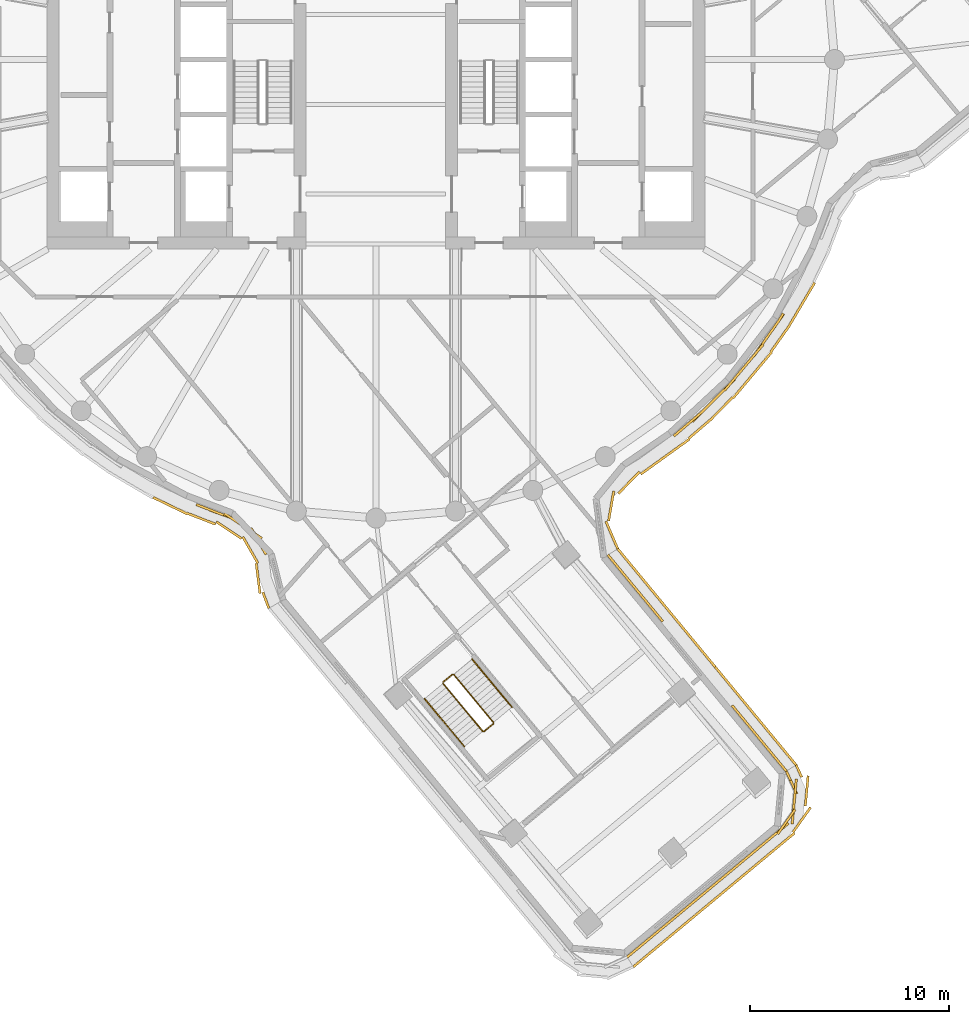
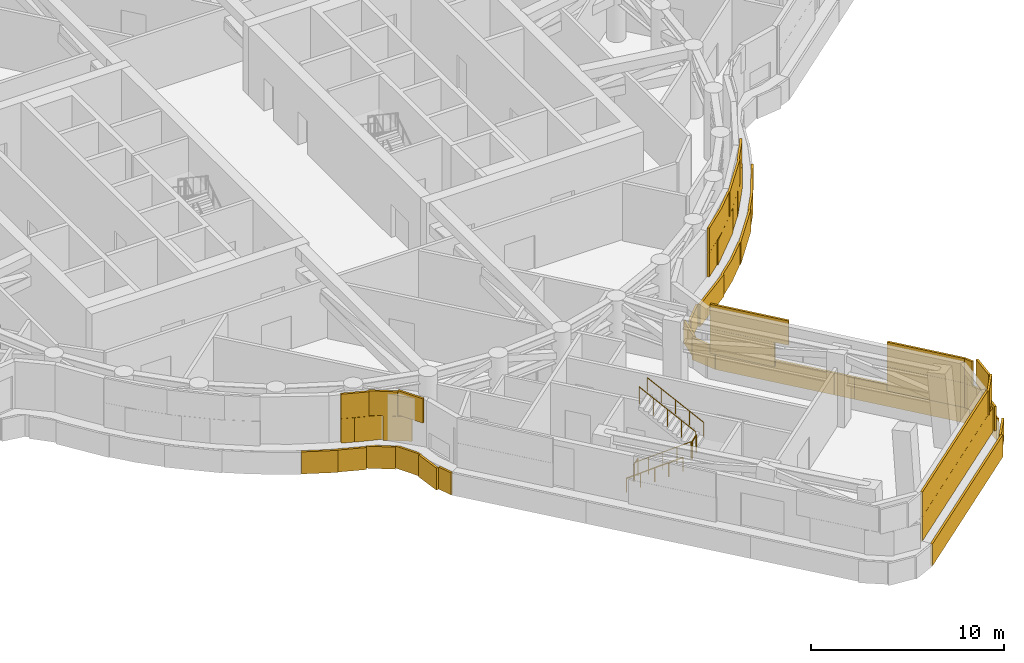
# One storey, part 17 of 22: 6 railings, 5 coverings.
"""IFC4 building model written with IfcOpenShell, lengths in metres."""

import ifcopenshell
import ifcopenshell.guid

model = None  # the IFC model being written
_history = None  # IfcOwnerHistory: only IFC2X3 demands one
_inside = {}  # id of a spatial element -> (the spatial element, [elements in it])
_under = {}  # id of a project, library or spatial element -> (it, [spatial elements below it])
_declared = {}  # id of a project -> (the project, [libraries it declares])
_typed = {}  # id of a type object -> (the type object, [elements of that type])
_made_of = {}  # id of a material, layer set ... -> (it, [elements and type objects made of it])


def new_model(schema):
    """Start an empty IFC model of exactly this schema.

    Asked for "IFC4X3", IfcOpenShell would pick the latest addendum, in which some entities
    have other attributes; the version numbers below select the first issue.
    IFC2X3 requires an IfcOwnerHistory on every rooted entity: one is made here for all.
    """
    global model, _history
    if schema == "IFC4X3":
        model = ifcopenshell.file(schema_version=(4, 3, 0, 0))
    else:
        model = ifcopenshell.file(schema=schema)
    _inside.clear()
    _under.clear()
    _declared.clear()
    _typed.clear()
    _made_of.clear()
    _history = None
    if model.schema == "IFC2X3":
        org = make("IfcOrganization", Name="unknown")
        user = make(
            "IfcPersonAndOrganization",
            ThePerson=make("IfcPerson", FamilyName="unknown"),
            TheOrganization=org,
        )
        app = make(
            "IfcApplication",
            ApplicationDeveloper=org,
            Version="unknown",
            ApplicationFullName="unknown",
            ApplicationIdentifier="unknown",
        )
        _history = make(
            "IfcOwnerHistory",
            OwningUser=user,
            OwningApplication=app,
            ChangeAction="ADDED",
            CreationDate=0,
        )
    return model


def make(cls, **values):
    """One entity of the class cls with the attributes given. An attribute that is None is left unset."""
    return model.create_entity(
        cls, **{name: value for name, value in values.items() if value is not None}
    )


def rooted(cls, **values):
    """An entity with a GlobalId (a new one), such as an element, a storey or a relation."""
    return make(cls, GlobalId=ifcopenshell.guid.new(), OwnerHistory=_history, **values)


def si_unit(unit_type, name, prefix=None):
    """IfcSIUnit, for example si_unit("LENGTHUNIT", "METRE", prefix="MILLI")."""
    return make("IfcSIUnit", UnitType=unit_type, Prefix=prefix, Name=name)


def assignment(units):
    """IfcUnitAssignment: the units of a project."""
    return None if units is None else make("IfcUnitAssignment", Units=units)


def point(xyz):
    """IfcCartesianPoint."""
    return None if xyz is None else make("IfcCartesianPoint", Coordinates=xyz)


def direction(xyz):
    """IfcDirection."""
    return None if xyz is None else make("IfcDirection", DirectionRatios=xyz)


def frame(location, z_axis=None, x_axis=None):
    """IfcAxis2Placement3D, a coordinate frame: its origin and axes. An axis left out is left unset."""
    return make(
        "IfcAxis2Placement3D",
        Location=point(location),
        Axis=direction(z_axis),
        RefDirection=direction(x_axis),
    )


def frame_2d(location, x_axis=None):
    """IfcAxis2Placement2D, a coordinate frame in the plane: its origin and x axis."""
    return make(
        "IfcAxis2Placement2D", Location=point(location), RefDirection=direction(x_axis)
    )


def origin():
    """The frame at (0, 0, 0) with its axes left unset."""
    return frame((0.0, 0.0, 0.0))


def origin_2d():
    """The frame at (0, 0) in the plane with its x axis left unset."""
    return frame_2d((0.0, 0.0))


def place(relative_to, where):
    """IfcLocalPlacement: puts the frame where relative to a parent placement (None: the world)."""
    return make(
        "IfcLocalPlacement", PlacementRelTo=relative_to, RelativePlacement=where
    )


def context(
    kind, dimensions, precision=None, world=None, true_north=None, identifier=None
):
    """IfcGeometricRepresentationContext, for example the 3D "Model" context."""
    return make(
        "IfcGeometricRepresentationContext",
        ContextIdentifier=identifier,
        ContextType=kind,
        CoordinateSpaceDimension=dimensions,
        Precision=precision,
        WorldCoordinateSystem=world,
        TrueNorth=true_north,
    )


def subcontext(parent, identifier, kind, view, scale=None):
    """IfcGeometricRepresentationSubContext, for example "Body" below "Model"."""
    return make(
        "IfcGeometricRepresentationSubContext",
        ContextIdentifier=identifier,
        ContextType=kind,
        ParentContext=parent,
        TargetScale=scale,
        TargetView=view,
    )


def project(units=None, contexts=None):
    """IfcProject with its units and contexts."""
    return rooted(
        "IfcProject",
        Name="project",
        RepresentationContexts=contexts,
        UnitsInContext=assignment(units),
    )


def spatial(cls, under=None, at=None, **own):
    """A site, building, storey or space (cls), placed at a placement, below another one or the project."""
    s = rooted(cls, ObjectPlacement=at, **own)
    if under is not None:
        _under.setdefault(under.id(), (under, []))[1].append(s)
    return s


def profile(cls, at=None, kind="AREA", **sizes):
    """A parametric profile (cls). Its sizes go by their IFC names, for example OverallWidth=200.0."""
    return make(cls, ProfileType=kind, Position=at, **sizes)


def rectangle(**sizes):
    """IfcRectangleProfileDef."""
    return profile("IfcRectangleProfileDef", **sizes)


def circle(**sizes):
    """IfcCircleProfileDef."""
    return profile("IfcCircleProfileDef", **sizes)


def extrude(swept, where, along, depth):
    """IfcExtrudedAreaSolid: the profile swept, set in the frame where, extruded along a direction by depth."""
    return make(
        "IfcExtrudedAreaSolid",
        SweptArea=swept,
        Position=where,
        ExtrudedDirection=direction(along),
        Depth=depth,
    )


def shape(context_of_items, identifier, shape_type, items):
    """IfcShapeRepresentation: the items that make up one representation, for example the "Body"."""
    return make(
        "IfcShapeRepresentation",
        ContextOfItems=context_of_items,
        RepresentationIdentifier=identifier,
        RepresentationType=shape_type,
        Items=items,
    )


def material(Name=None, Category=None):
    """IfcMaterial."""
    return make("IfcMaterial", Name=Name, Category=Category)


def layer(
    of_material, thickness, ventilated=None, Name=None, Category=None, Priority=None
):
    """IfcMaterialLayer: one layer of a wall or slab, of a material (None: an air gap)."""
    return make(
        "IfcMaterialLayer",
        Material=of_material,
        LayerThickness=thickness,
        IsVentilated=ventilated,
        Name=Name,
        Category=Category,
        Priority=Priority,
    )


def layer_set(layers, Name=None):
    """IfcMaterialLayerSet."""
    return make("IfcMaterialLayerSet", MaterialLayers=layers, LayerSetName=Name)


def made_of(thing, what):
    """Note that an element or type object is made of a material, layer set ...; save() writes the relation."""
    if what is not None:
        _made_of.setdefault(what.id(), (what, []))[1].append(thing)
    return thing


def type_object(cls, material=None, **own):
    """A type object (cls), such as IfcWallType, which elements share."""
    return made_of(rooted(cls, **own), material)


def element(
    cls,
    number,
    at=None,
    inside=None,
    cuts=None,
    type_object=None,
    material=None,
    context=None,
    identifier="Body",
    shape_type=None,
    held_by="IfcProductDefinitionShape",
    body=None,
    shapes=None,
    **own,
):
    """One element of the class cls, such as IfcWall. Its Tag is "e" and its number.

    at: its placement. inside: the storey or other place that contains it. cuts: it is an
    opening in that element (IfcRelVoidsElement). A single representation is given by context,
    identifier, shape_type and body (its items); several are given by shapes. held_by: the class
    of the entity that holds the representations. save() writes the other relations.
    """
    e = rooted(cls, Tag="e%d" % number, ObjectPlacement=at, **own)
    if body is not None:
        shapes = [shape(context, identifier, shape_type, body)]
    if shapes is not None:
        e.Representation = make(held_by, Representations=shapes)
    if inside is not None:
        _inside.setdefault(inside.id(), (inside, []))[1].append(e)
    if cuts is not None:
        rooted(
            "IfcRelVoidsElement", RelatingBuildingElement=cuts, RelatedOpeningElement=e
        )
    if type_object is not None:
        _typed.setdefault(type_object.id(), (type_object, []))[1].append(e)
    return made_of(e, material)


def aggregate(whole, parts):
    """IfcRelAggregates: a whole, such as a stair, and the parts it consists of."""
    return rooted("IfcRelAggregates", RelatingObject=whole, RelatedObjects=parts)


def save(model, path):
    """Write the relations noted so far, then the file.

    IfcRelAggregates (storeys below a building ...), IfcRelContainedInSpatialStructure (elements
    in a storey), IfcRelDefinesByType, IfcRelAssociatesMaterial and IfcRelDeclares: one each for
    every whole, place, type object, material and project.
    """
    for whole, parts in _under.values():
        aggregate(whole, parts)
    for where, things in _inside.values():
        rooted(
            "IfcRelContainedInSpatialStructure",
            RelatedElements=things,
            RelatingStructure=where,
        )
    for kind, things in _typed.values():
        rooted("IfcRelDefinesByType", RelatedObjects=things, RelatingType=kind)
    for what, things in _made_of.values():
        rooted("IfcRelAssociatesMaterial", RelatedObjects=things, RelatingMaterial=what)
    for by, libraries in _declared.values():
        rooted("IfcRelDeclares", RelatingContext=by, RelatedDefinitions=libraries)
    model.write(path)


model = new_model("IFC4")

# Units and contexts
model_context = context("Model", 3, precision=1e-05, world=origin(), true_north=direction((0.0, 1.0)))
body_context = subcontext(model_context, "Body", "Model", "MODEL_VIEW")
ifc_project = project(units=[si_unit("LENGTHUNIT", "METRE"), si_unit("AREAUNIT", "SQUARE_METRE"), si_unit("VOLUMEUNIT", "CUBIC_METRE"), si_unit("PLANEANGLEUNIT", "RADIAN"), si_unit("MASSUNIT", "GRAM", prefix="KILO")], contexts=[model_context])

# Site, building, storey
site_placement = place(None, origin())
site = spatial("IfcSite", under=ifc_project, at=site_placement, CompositionType="ELEMENT")
building_placement = place(site_placement, origin())
building = spatial("IfcBuilding", under=site, at=building_placement, Name="Tamarind Cross Interchange Tower", CompositionType="ELEMENT")
storey_placement = place(building_placement, frame((0.0, 0.0, 178.0)))
storey = spatial("IfcBuildingStorey", under=building, at=storey_placement, Name="L44", CompositionType="ELEMENT", Elevation=178.0)

# Railings
ifc_material_1 = material(Name="Stair guard")
railing_type_1 = type_object("IfcRailingType", Name="Stair guard", PredefinedType="GUARDRAIL", material=ifc_material_1)
railing_1_placement = place(storey_placement, frame((3.363525390625, -31.295166015625, 0.173095703125)))
element("IfcRailing", 1, at=railing_1_placement, inside=storey, type_object=railing_type_1, Name="L44 ST6 stair guard 1", PredefinedType="GUARDRAIL", context=body_context, shape_type="SweptSolid", body=[
    extrude(circle(Radius=0.02392578125, at=origin_2d()), frame((0.0, 0.0, 1.076171875), z_axis=(0.531735858126, -0.640454117003, 0.55414393545), x_axis=(0.769387389074, 0.638782471217, 0.0)), (0.0, 0.0, 1.0), 3.748046875),
    extrude(circle(Radius=0.02099609375, at=origin_2d()), origin(), (0.0, 0.0, 1.0), 1.052001953125),
    extrude(circle(Radius=0.02099609375, at=origin_2d()), frame((0.498291015625, -0.60009765625, 0.519287109375)), (0.0, 0.0, 1.0), 1.052001953125),
    extrude(circle(Radius=0.02099609375, at=origin_2d()), frame((0.99658203125, -1.2001953125, 1.03857421875)), (0.0, 0.0, 1.0), 1.052001953125),
    extrude(circle(Radius=0.02099609375, at=origin_2d()), frame((1.49462890625, -1.80029296875, 1.5576171875)), (0.0, 0.0, 1.0), 1.052001953125),
    extrude(circle(Radius=0.02099609375, at=origin_2d()), frame((1.992919921875, -2.400390625, 2.076904296875)), (0.0, 0.0, 1.0), 1.052001953125),
])
railing_2_placement = place(storey_placement, frame((5.427001953125, -33.7021484375, 2.25)))
element("IfcRailing", 2, at=railing_2_placement, inside=storey, type_object=railing_type_1, Name="L44 ST6 stair guard 2", PredefinedType="GUARDRAIL", context=body_context, shape_type="SweptSolid", body=[
    extrude(circle(Radius=0.02392578125, at=origin_2d()), frame((0.0, 0.0, 1.076171875), z_axis=(0.769221149008, 0.638982647588, 0.0), x_axis=(-0.638982647588, 0.769221149008, 0.0)), (0.0, 0.0, 1.0), 0.599853515625),
    extrude(circle(Radius=0.02099609375, at=origin_2d()), origin(), (0.0, 0.0, 1.0), 1.052001953125),
    extrude(circle(Radius=0.02099609375, at=origin_2d()), frame((0.46142578125, 0.38330078125, 0.0)), (0.0, 0.0, 1.0), 1.052001953125),
])
railing_3_placement = place(storey_placement, frame((5.89501953125, -33.24853515625, 2.423095703125)))
element("IfcRailing", 3, at=railing_3_placement, inside=storey, type_object=railing_type_1, Name="L44 ST6 stair guard 3", PredefinedType="GUARDRAIL", context=body_context, shape_type="SweptSolid", body=[
    extrude(circle(Radius=0.02392578125, at=origin_2d()), frame((0.0, 0.0, 1.076171875), z_axis=(-0.531713674884, 0.640492535236, 0.554120817375), x_axis=(-0.769419316944, -0.638744013446, 0.0)), (0.0, 0.0, 1.0), 3.748046875),
    extrude(circle(Radius=0.02099609375, at=origin_2d()), origin(), (0.0, 0.0, 1.0), 1.052001953125),
    extrude(circle(Radius=0.02099609375, at=origin_2d()), frame((-0.498291015625, 0.60009765625, 0.519287109375)), (0.0, 0.0, 1.0), 1.052001953125),
    extrude(circle(Radius=0.02099609375, at=origin_2d()), frame((-0.99658203125, 1.2001953125, 1.03857421875)), (0.0, 0.0, 1.0), 1.052001953125),
    extrude(circle(Radius=0.02099609375, at=origin_2d()), frame((-1.49462890625, 1.800537109375, 1.5576171875)), (0.0, 0.0, 1.0), 1.052001953125),
    extrude(circle(Radius=0.02099609375, at=origin_2d()), frame((-1.992919921875, 2.400634765625, 2.076904296875)), (0.0, 0.0, 1.0), 1.052001953125),
])
railing_4_placement = place(storey_placement, frame((3.369873046875, -31.224853515625, 0.0)))
element("IfcRailing", 4, at=railing_4_placement, inside=storey, type_object=railing_type_1, Name="L44 ST6 stair guard 4", PredefinedType="GUARDRAIL", context=body_context, shape_type="SweptSolid", body=[
    extrude(circle(Radius=0.02392578125, at=origin_2d()), frame((0.0, 0.0, 1.076171875), z_axis=(0.769387246707, 0.638782642692, 0.0), x_axis=(-0.638782642692, 0.769387246707, 0.0)), (0.0, 0.0, 1.0), 0.60009765625),
    extrude(circle(Radius=0.02099609375, at=origin_2d()), origin(), (0.0, 0.0, 1.0), 1.052001953125),
    extrude(circle(Radius=0.02099609375, at=origin_2d()), frame((0.461669921875, 0.38330078125, 0.0)), (0.0, 0.0, 1.0), 1.052001953125),
])
ifc_material_2 = material(Name="Stair handrail")
railing_type_2 = type_object("IfcRailingType", Name="Stair handrail", PredefinedType="HANDRAIL", material=ifc_material_2)
railing_5_placement = place(storey_placement, frame((2.440185546875, -32.061767578125, 0.173095703125)))
element("IfcRailing", 5, at=railing_5_placement, inside=storey, type_object=railing_type_2, Name="L44 ST6 stair handrail 1", PredefinedType="HANDRAIL", context=body_context, shape_type="SweptSolid", body=[
    extrude(circle(Radius=0.02392578125, at=origin_2d()), frame((0.0, 0.0, 0.8759765625), z_axis=(0.531782577646, -0.640431933294, 0.554124741307), x_axis=(0.769348930313, 0.638828790386, 0.0)), (0.0, 0.0, 1.0), 3.748046875),
    extrude(circle(Radius=0.02099609375, at=origin_2d()), origin(), (0.0, 0.0, 1.0), 0.851806640625),
    extrude(circle(Radius=0.02099609375, at=origin_2d()), frame((0.498291015625, -0.60009765625, 0.519287109375)), (0.0, 0.0, 1.0), 0.851806640625),
    extrude(circle(Radius=0.02099609375, at=origin_2d()), frame((0.99658203125, -1.2001953125, 1.03857421875)), (0.0, 0.0, 1.0), 0.851806640625),
    extrude(circle(Radius=0.02099609375, at=origin_2d()), frame((1.494873046875, -1.80029296875, 1.5576171875)), (0.0, 0.0, 1.0), 0.851806640625),
    extrude(circle(Radius=0.02099609375, at=origin_2d()), frame((1.9931640625, -2.400390625, 2.076904296875)), (0.0, 0.0, 1.0), 0.851806640625),
])
railing_6_placement = place(storey_placement, frame((6.818359375, -32.48193359375, 2.423095703125)))
element("IfcRailing", 6, at=railing_6_placement, inside=storey, type_object=railing_type_2, Name="L44 ST6 stair handrail 2", PredefinedType="HANDRAIL", context=body_context, shape_type="SweptSolid", body=[
    extrude(circle(Radius=0.02392578125, at=origin_2d()), frame((0.0, 0.0, 0.8759765625), z_axis=(-0.531782577646, 0.640431933294, 0.554124741307), x_axis=(-0.769348930313, -0.638828790386, 0.0)), (0.0, 0.0, 1.0), 3.748046875),
    extrude(circle(Radius=0.02099609375, at=origin_2d()), origin(), (0.0, 0.0, 1.0), 0.851806640625),
    extrude(circle(Radius=0.02099609375, at=origin_2d()), frame((-0.498291015625, 0.60009765625, 0.519287109375)), (0.0, 0.0, 1.0), 0.851806640625),
    extrude(circle(Radius=0.02099609375, at=origin_2d()), frame((-0.99658203125, 1.2001953125, 1.03857421875)), (0.0, 0.0, 1.0), 0.851806640625),
    extrude(circle(Radius=0.02099609375, at=origin_2d()), frame((-1.494873046875, 1.80029296875, 1.5576171875)), (0.0, 0.0, 1.0), 0.851806640625),
    extrude(circle(Radius=0.02099609375, at=origin_2d()), frame((-1.9931640625, 2.400390625, 2.076904296875)), (0.0, 0.0, 1.0), 0.851806640625),
])

# Coverings
ifc_material_3 = material(Name="Terracotta", Category="masonry")
ifc_layer = layer(ifc_material_3, 0.1201171875)
ifc_layer_set = layer_set([ifc_layer], Name="Terracotta")
covering_type = type_object("IfcCoveringType", Name="Terracotta baguette screen unit", PredefinedType="MOLDING", material=ifc_layer_set)
covering_1_placement = place(storey_placement, origin())
element("IfcCovering", 7, at=covering_1_placement, inside=storey, type_object=covering_type, Name="SCR-L44-02-01", PredefinedType="MOLDING", context=body_context, shape_type="SweptSolid", body=[
    extrude(rectangle(XDim=0.718994140625, YDim=0.1201171875, at=origin_2d()), frame((-8.674072265625, -22.450439453125, 1.404052734375), z_axis=(0.0, 0.0, 1.0), x_axis=(0.932242228666, -0.361834806358, 0.0)), (0.0, 0.0, 1.0), 1.5419921875),
    extrude(rectangle(XDim=1.52001953125, YDim=0.1201171875, at=origin_2d()), frame((-7.642578125, -22.845458984375, 1.404052734375), z_axis=(0.0, 0.0, 1.0), x_axis=(0.942335122029, -0.334670760287, 0.0)), (0.0, 0.0, 1.0), 1.5419921875),
    extrude(rectangle(XDim=1.52001953125, YDim=0.1201171875, at=origin_2d()), frame((-6.355712890625, -23.599853515625, 1.404052734375), z_axis=(0.0, 0.0, 1.0), x_axis=(0.831951858346, -0.554847821834, 0.0)), (0.0, 0.0, 1.0), 1.5419921875),
    extrude(rectangle(XDim=1.468994140625, YDim=0.1201171875, at=origin_2d()), frame((-8.324462890625, -22.586181640625, 2.9541015625), z_axis=(0.0, 0.0, 1.0), x_axis=(0.932242228666, -0.361834806358, 0.0)), (0.0, 0.0, 1.0), 1.5419921875),
    extrude(rectangle(XDim=1.52001953125, YDim=0.1201171875, at=origin_2d()), frame((-6.979736328125, -23.183837890625, 2.9541015625), z_axis=(0.0, 0.0, 1.0), x_axis=(0.831951858346, -0.554847821834, 0.0)), (0.0, 0.0, 1.0), 1.5419921875),
    extrude(rectangle(XDim=1.52001953125, YDim=0.1201171875, at=origin_2d()), frame((-5.890380859375, -24.1640625, 2.9541015625), z_axis=(0.0, 0.0, 1.0), x_axis=(0.495708837866, -0.868488772559, 0.0)), (0.0, 0.0, 1.0), 1.5419921875),
    extrude(rectangle(XDim=0.40966796875, YDim=0.1201171875, at=origin_2d()), frame((-10.990966796875, -22.05419921875, 0.00390625), z_axis=(0.0, 0.0, 1.0), x_axis=(0.900272776334, -0.435326231914, 0.0)), (0.0, 0.0, 1.0), 1.39208984375),
    extrude(rectangle(XDim=1.52001953125, YDim=0.1201171875, at=origin_2d()), frame((-10.14013671875, -22.465576171875, 0.00390625), z_axis=(0.0, 0.0, 1.0), x_axis=(0.900272776334, -0.435326231914, 0.0)), (0.0, 0.0, 1.0), 1.39208984375),
    extrude(rectangle(XDim=1.52001953125, YDim=0.1201171875, at=origin_2d()), frame((-8.753662109375, -23.035400390625, 0.00390625), z_axis=(0.0, 0.0, 1.0), x_axis=(0.932242228666, -0.361834806358, 0.0)), (0.0, 0.0, 1.0), 1.39208984375),
    extrude(rectangle(XDim=1.52001953125, YDim=0.1201171875, at=origin_2d()), frame((-7.3740234375, -23.610595703125, 0.00390625), z_axis=(0.0, 0.0, 1.0), x_axis=(0.831951858346, -0.554847821834, 0.0)), (0.0, 0.0, 1.0), 1.39208984375),
    extrude(rectangle(XDim=1.52001953125, YDim=0.1201171875, at=origin_2d()), frame((-6.299560546875, -24.604736328125, 0.00390625), z_axis=(0.0, 0.0, 1.0), x_axis=(0.495708837866, -0.868488772559, 0.0)), (0.0, 0.0, 1.0), 1.39208984375),
    extrude(rectangle(XDim=1.52001953125, YDim=0.1201171875, at=origin_2d()), frame((-5.9111328125, -26.0263671875, 0.00390625), z_axis=(0.0, 0.0, 1.0), x_axis=(0.126822956995, -0.991925368956, 0.0)), (0.0, 0.0, 1.0), 1.39208984375),
    extrude(rectangle(XDim=0.856201171875, YDim=0.1201171875, at=origin_2d()), frame((-5.5224609375, -27.12548828125, 0.00390625), z_axis=(0.0, 0.0, 1.0), x_axis=(0.349918721817, -0.936780063901, 0.0)), (0.0, 0.0, 1.0), 1.39208984375),
])
covering_2_placement = place(storey_placement, origin())
element("IfcCovering", 8, at=covering_2_placement, inside=storey, type_object=covering_type, Name="SCR-L44-04-00", PredefinedType="MOLDING", context=body_context, shape_type="SweptSolid", body=[
    extrude(rectangle(XDim=1.510009765625, YDim=0.1201171875, at=origin_2d()), frame((13.177001953125, -44.542236328125, 1.404052734375), z_axis=(0.0, 0.0, 1.0), x_axis=(0.769372797728, 0.638800045488, 0.0)), (0.0, 0.0, 1.0), 1.5419921875),
    extrude(rectangle(XDim=1.52001953125, YDim=0.1201171875, at=origin_2d()), frame((14.3310546875, -43.583984375, 1.404052734375), z_axis=(0.0, 0.0, 1.0), x_axis=(0.769372797728, 0.638800045488, 0.0)), (0.0, 0.0, 1.0), 1.5419921875),
    extrude(rectangle(XDim=1.52001953125, YDim=0.1201171875, at=origin_2d()), frame((15.485107421875, -42.625732421875, 1.404052734375), z_axis=(0.0, 0.0, 1.0), x_axis=(0.769372797728, 0.638800045488, 0.0)), (0.0, 0.0, 1.0), 1.5419921875),
    extrude(rectangle(XDim=1.52001953125, YDim=0.1201171875, at=origin_2d()), frame((16.63916015625, -41.66748046875, 1.404052734375), z_axis=(0.0, 0.0, 1.0), x_axis=(0.769372797728, 0.638800045488, 0.0)), (0.0, 0.0, 1.0), 1.5419921875),
    extrude(rectangle(XDim=1.52001953125, YDim=0.1201171875, at=origin_2d()), frame((17.793212890625, -40.70947265625, 1.404052734375), z_axis=(0.0, 0.0, 1.0), x_axis=(0.769372797728, 0.638800045488, 0.0)), (0.0, 0.0, 1.0), 1.5419921875),
    extrude(rectangle(XDim=1.52001953125, YDim=0.1201171875, at=origin_2d()), frame((18.947265625, -39.751220703125, 1.404052734375), z_axis=(0.0, 0.0, 1.0), x_axis=(0.769372797728, 0.638800045488, 0.0)), (0.0, 0.0, 1.0), 1.5419921875),
    extrude(rectangle(XDim=1.52001953125, YDim=0.1201171875, at=origin_2d()), frame((20.101318359375, -38.79296875, 1.404052734375), z_axis=(0.0, 0.0, 1.0), x_axis=(0.769372797728, 0.638800045488, 0.0)), (0.0, 0.0, 1.0), 1.5419921875),
    extrude(rectangle(XDim=1.52001953125, YDim=0.1201171875, at=origin_2d()), frame((20.9453125, -37.58935546875, 1.404052734375), z_axis=(0.0, 0.0, 1.0), x_axis=(0.092328878547, 0.995728566521, 0.0)), (0.0, 0.0, 1.0), 1.5419921875),
    extrude(rectangle(XDim=1.259521484375, YDim=0.1201171875, at=origin_2d()), frame((20.844482421875, -36.259521484375, 1.404052734375), z_axis=(0.0, 0.0, 1.0), x_axis=(-0.417905128936, 0.908490673155, 0.0)), (0.0, 0.0, 1.0), 1.5419921875),
    extrude(rectangle(XDim=0.760009765625, YDim=0.1201171875, at=origin_2d()), frame((12.888671875, -44.78173828125, 2.9541015625), z_axis=(0.0, 0.0, 1.0), x_axis=(0.769372797728, 0.638800045488, 0.0)), (0.0, 0.0, 1.0), 1.5419921875),
    extrude(rectangle(XDim=1.52001953125, YDim=0.1201171875, at=origin_2d()), frame((13.754150390625, -44.06298828125, 2.9541015625), z_axis=(0.0, 0.0, 1.0), x_axis=(0.769372797728, 0.638800045488, 0.0)), (0.0, 0.0, 1.0), 1.5419921875),
    extrude(rectangle(XDim=1.52001953125, YDim=0.1201171875, at=origin_2d()), frame((14.908203125, -43.10498046875, 2.9541015625), z_axis=(0.0, 0.0, 1.0), x_axis=(0.769372797728, 0.638800045488, 0.0)), (0.0, 0.0, 1.0), 1.5419921875),
    extrude(rectangle(XDim=1.52001953125, YDim=0.1201171875, at=origin_2d()), frame((16.062255859375, -42.146728515625, 2.9541015625), z_axis=(0.0, 0.0, 1.0), x_axis=(0.769372797728, 0.638800045488, 0.0)), (0.0, 0.0, 1.0), 1.5419921875),
    extrude(rectangle(XDim=1.52001953125, YDim=0.1201171875, at=origin_2d()), frame((17.21630859375, -41.1884765625, 2.9541015625), z_axis=(0.0, 0.0, 1.0), x_axis=(0.769372797728, 0.638800045488, 0.0)), (0.0, 0.0, 1.0), 1.5419921875),
    extrude(rectangle(XDim=1.52001953125, YDim=0.1201171875, at=origin_2d()), frame((18.370361328125, -40.230224609375, 2.9541015625), z_axis=(0.0, 0.0, 1.0), x_axis=(0.769372797728, 0.638800045488, 0.0)), (0.0, 0.0, 1.0), 1.5419921875),
    extrude(rectangle(XDim=1.52001953125, YDim=0.1201171875, at=origin_2d()), frame((19.5244140625, -39.27197265625, 2.9541015625), z_axis=(0.0, 0.0, 1.0), x_axis=(0.769372797728, 0.638800045488, 0.0)), (0.0, 0.0, 1.0), 1.5419921875),
    extrude(rectangle(XDim=1.52001953125, YDim=0.1201171875, at=origin_2d()), frame((20.587158203125, -38.2294921875, 2.9541015625), z_axis=(0.0, 0.0, 1.0), x_axis=(0.577823437585, 0.816161794608, 0.0)), (0.0, 0.0, 1.0), 1.5419921875),
    extrude(rectangle(XDim=1.52001953125, YDim=0.1201171875, at=origin_2d()), frame((21.0146484375, -36.842529296875, 2.9541015625), z_axis=(0.0, 0.0, 1.0), x_axis=(0.092328878547, 0.995728566521, 0.0)), (0.0, 0.0, 1.0), 1.5419921875),
    extrude(rectangle(XDim=0.509521484375, YDim=0.1201171875, at=origin_2d()), frame((20.687744140625, -35.918701171875, 2.9541015625), z_axis=(0.0, 0.0, 1.0), x_axis=(-0.417905128936, 0.908490673155, 0.0)), (0.0, 0.0, 1.0), 1.5419921875),
    extrude(rectangle(XDim=1.510009765625, YDim=0.1201171875, at=origin_2d()), frame((13.489501953125, -45.02880859375, 0.00390625), z_axis=(0.0, 0.0, 1.0), x_axis=(0.769372797728, 0.638800045488, 0.0)), (0.0, 0.0, 1.0), 1.39208984375),
    extrude(rectangle(XDim=1.52001953125, YDim=0.1201171875, at=origin_2d()), frame((14.6396484375, -44.073974609375, 0.00390625), z_axis=(0.0, 0.0, 1.0), x_axis=(0.769372797728, 0.638800045488, 0.0)), (0.0, 0.0, 1.0), 1.39208984375),
    extrude(rectangle(XDim=1.52001953125, YDim=0.1201171875, at=origin_2d()), frame((15.793701171875, -43.11572265625, 0.00390625), z_axis=(0.0, 0.0, 1.0), x_axis=(0.769372797728, 0.638800045488, 0.0)), (0.0, 0.0, 1.0), 1.39208984375),
    extrude(rectangle(XDim=1.52001953125, YDim=0.1201171875, at=origin_2d()), frame((16.94775390625, -42.157470703125, 0.00390625), z_axis=(0.0, 0.0, 1.0), x_axis=(0.769372797728, 0.638800045488, 0.0)), (0.0, 0.0, 1.0), 1.39208984375),
    extrude(rectangle(XDim=1.52001953125, YDim=0.1201171875, at=origin_2d()), frame((18.101806640625, -41.19921875, 0.00390625), z_axis=(0.0, 0.0, 1.0), x_axis=(0.769372797728, 0.638800045488, 0.0)), (0.0, 0.0, 1.0), 1.39208984375),
    extrude(rectangle(XDim=1.52001953125, YDim=0.1201171875, at=origin_2d()), frame((19.255859375, -40.240966796875, 0.00390625), z_axis=(0.0, 0.0, 1.0), x_axis=(0.769372797728, 0.638800045488, 0.0)), (0.0, 0.0, 1.0), 1.39208984375),
    extrude(rectangle(XDim=1.52001953125, YDim=0.1201171875, at=origin_2d()), frame((20.409912109375, -39.282958984375, 0.00390625), z_axis=(0.0, 0.0, 1.0), x_axis=(0.769372797728, 0.638800045488, 0.0)), (0.0, 0.0, 1.0), 1.39208984375),
    extrude(rectangle(XDim=1.52001953125, YDim=0.1201171875, at=origin_2d()), frame((21.358154296875, -38.134033203125, 0.00390625), z_axis=(0.0, 0.0, 1.0), x_axis=(0.577823437585, 0.816161794608, 0.0)), (0.0, 0.0, 1.0), 1.39208984375),
    extrude(rectangle(XDim=1.52001953125, YDim=0.1201171875, at=origin_2d()), frame((21.60595703125, -36.680908203125, 0.00390625), z_axis=(0.0, 0.0, 1.0), x_axis=(0.092328878547, 0.995728566521, 0.0)), (0.0, 0.0, 1.0), 1.39208984375),
    extrude(rectangle(XDim=0.67626953125, YDim=0.1201171875, at=origin_2d()), frame((21.21484375, -35.691162109375, 0.00390625), z_axis=(0.0, 0.0, 1.0), x_axis=(-0.417905128936, 0.908490673155, 0.0)), (0.0, 0.0, 1.0), 1.39208984375),
])
covering_3_placement = place(storey_placement, origin())
element("IfcCovering", 9, at=covering_3_placement, inside=storey, type_object=covering_type, Name="SCR-L44-05-00", PredefinedType="MOLDING", context=body_context, shape_type="SweptSolid", body=[
    extrude(rectangle(XDim=1.510009765625, YDim=0.1201171875, at=origin_2d()), frame((20.10595703125, -35.113525390625, 1.404052734375), z_axis=(0.0, 0.0, 1.0), x_axis=(-0.636559824639, 0.771227326834, 0.0)), (0.0, 0.0, 1.0), 1.5419921875),
    extrude(rectangle(XDim=1.52001953125, YDim=0.1201171875, at=origin_2d()), frame((19.151123046875, -33.95654296875, 1.404052734375), z_axis=(0.0, 0.0, 1.0), x_axis=(-0.636559824639, 0.771227326834, 0.0)), (0.0, 0.0, 1.0), 1.5419921875),
    extrude(rectangle(XDim=1.2802734375, YDim=0.1201171875, at=origin_2d()), frame((18.26953125, -32.888427734375, 1.404052734375), z_axis=(0.0, 0.0, 1.0), x_axis=(-0.636559824639, 0.771227326834, 0.0)), (0.0, 0.0, 1.0), 1.5419921875),
    extrude(rectangle(XDim=0.760009765625, YDim=0.1201171875, at=origin_2d()), frame((20.3447265625, -35.402587890625, 2.9541015625), z_axis=(0.0, 0.0, 1.0), x_axis=(-0.636559824639, 0.771227326834, 0.0)), (0.0, 0.0, 1.0), 1.5419921875),
    extrude(rectangle(XDim=1.52001953125, YDim=0.1201171875, at=origin_2d()), frame((19.628662109375, -34.534912109375, 2.9541015625), z_axis=(0.0, 0.0, 1.0), x_axis=(-0.636559824639, 0.771227326834, 0.0)), (0.0, 0.0, 1.0), 1.5419921875),
    extrude(rectangle(XDim=1.52001953125, YDim=0.1201171875, at=origin_2d()), frame((18.673828125, -33.378173828125, 2.9541015625), z_axis=(0.0, 0.0, 1.0), x_axis=(-0.636559824639, 0.771227326834, 0.0)), (0.0, 0.0, 1.0), 1.5419921875),
    extrude(rectangle(XDim=0.5302734375, YDim=0.1201171875, at=origin_2d()), frame((18.03076171875, -32.59912109375, 2.9541015625), z_axis=(0.0, 0.0, 1.0), x_axis=(-0.636559824639, 0.771227326834, 0.0)), (0.0, 0.0, 1.0), 1.5419921875),
    extrude(rectangle(XDim=1.510009765625, YDim=0.1201171875, at=origin_2d()), frame((20.593017578125, -34.8017578125, 0.00390625), z_axis=(0.0, 0.0, 1.0), x_axis=(-0.636559824639, 0.771227326834, 0.0)), (0.0, 0.0, 1.0), 1.39208984375),
    extrude(rectangle(XDim=1.52001953125, YDim=0.1201171875, at=origin_2d()), frame((19.641357421875, -33.64892578125, 0.00390625), z_axis=(0.0, 0.0, 1.0), x_axis=(-0.636559824639, 0.771227326834, 0.0)), (0.0, 0.0, 1.0), 1.39208984375),
    extrude(rectangle(XDim=1.52001953125, YDim=0.1201171875, at=origin_2d()), frame((18.6865234375, -32.491943359375, 0.00390625), z_axis=(0.0, 0.0, 1.0), x_axis=(-0.636559824639, 0.771227326834, 0.0)), (0.0, 0.0, 1.0), 1.39208984375),
    extrude(rectangle(XDim=1.52001953125, YDim=0.1201171875, at=origin_2d()), frame((17.731689453125, -31.335205078125, 0.00390625), z_axis=(0.0, 0.0, 1.0), x_axis=(-0.636559824639, 0.771227326834, 0.0)), (0.0, 0.0, 1.0), 1.39208984375),
    extrude(rectangle(XDim=0.376708984375, YDim=0.1201171875, at=origin_2d()), frame((17.140625, -30.619140625, 0.00390625), z_axis=(0.0, 0.0, 1.0), x_axis=(-0.636559824639, 0.771227326834, 0.0)), (0.0, 0.0, 1.0), 1.39208984375),
])
covering_4_placement = place(storey_placement, origin())
element("IfcCovering", 10, at=covering_4_placement, inside=storey, type_object=covering_type, Name="SCR-L44-05-01", PredefinedType="MOLDING", context=body_context, shape_type="SweptSolid", body=[
    extrude(rectangle(XDim=1.52001953125, YDim=0.1201171875, at=origin_2d()), frame((13.422119140625, -27.015625, 1.404052734375), z_axis=(0.0, 0.0, 1.0), x_axis=(-0.636559824639, 0.771227326834, 0.0)), (0.0, 0.0, 1.0), 1.5419921875),
    extrude(rectangle(XDim=1.52001953125, YDim=0.1201171875, at=origin_2d()), frame((12.46728515625, -25.858642578125, 1.404052734375), z_axis=(0.0, 0.0, 1.0), x_axis=(-0.636559824639, 0.771227326834, 0.0)), (0.0, 0.0, 1.0), 1.5419921875),
    extrude(rectangle(XDim=0.570556640625, YDim=0.1201171875, at=origin_2d()), frame((11.8115234375, -25.064208984375, 1.404052734375), z_axis=(0.0, 0.0, 1.0), x_axis=(-0.636559824639, 0.771227326834, 0.0)), (0.0, 0.0, 1.0), 1.5419921875),
    extrude(rectangle(XDim=1.52001953125, YDim=0.1201171875, at=origin_2d()), frame((13.899658203125, -27.593994140625, 2.9541015625), z_axis=(0.0, 0.0, 1.0), x_axis=(-0.636559824639, 0.771227326834, 0.0)), (0.0, 0.0, 1.0), 1.5419921875),
    extrude(rectangle(XDim=1.52001953125, YDim=0.1201171875, at=origin_2d()), frame((12.944580078125, -26.43701171875, 2.9541015625), z_axis=(0.0, 0.0, 1.0), x_axis=(-0.636559824639, 0.771227326834, 0.0)), (0.0, 0.0, 1.0), 1.5419921875),
    extrude(rectangle(XDim=1.320556640625, YDim=0.1201171875, at=origin_2d()), frame((12.050048828125, -25.353271484375, 2.9541015625), z_axis=(0.0, 0.0, 1.0), x_axis=(-0.636559824639, 0.771227326834, 0.0)), (0.0, 0.0, 1.0), 1.5419921875),
    extrude(rectangle(XDim=1.14306640625, YDim=0.1201171875, at=origin_2d()), frame((16.656982421875, -30.032958984375, 0.00390625), z_axis=(0.0, 0.0, 1.0), x_axis=(-0.636559824639, 0.771227326834, 0.0)), (0.0, 0.0, 1.0), 1.39208984375),
    extrude(rectangle(XDim=1.52001953125, YDim=0.1201171875, at=origin_2d()), frame((15.822021484375, -29.021484375, 0.00390625), z_axis=(0.0, 0.0, 1.0), x_axis=(-0.636559824639, 0.771227326834, 0.0)), (0.0, 0.0, 1.0), 1.39208984375),
    extrude(rectangle(XDim=1.52001953125, YDim=0.1201171875, at=origin_2d()), frame((14.8671875, -27.86474609375, 0.00390625), z_axis=(0.0, 0.0, 1.0), x_axis=(-0.636559824639, 0.771227326834, 0.0)), (0.0, 0.0, 1.0), 1.39208984375),
    extrude(rectangle(XDim=1.52001953125, YDim=0.1201171875, at=origin_2d()), frame((13.912353515625, -26.707763671875, 0.00390625), z_axis=(0.0, 0.0, 1.0), x_axis=(-0.636559824639, 0.771227326834, 0.0)), (0.0, 0.0, 1.0), 1.39208984375),
    extrude(rectangle(XDim=1.52001953125, YDim=0.1201171875, at=origin_2d()), frame((12.95751953125, -25.551025390625, 0.00390625), z_axis=(0.0, 0.0, 1.0), x_axis=(-0.636559824639, 0.771227326834, 0.0)), (0.0, 0.0, 1.0), 1.39208984375),
    extrude(rectangle(XDim=0.56298828125, YDim=0.1201171875, at=origin_2d()), frame((12.307373046875, -24.76318359375, 0.00390625), z_axis=(0.0, 0.0, 1.0), x_axis=(-0.636559824639, 0.771227326834, 0.0)), (0.0, 0.0, 1.0), 1.39208984375),
])
covering_5_placement = place(storey_placement, origin())
element("IfcCovering", 11, at=covering_5_placement, inside=storey, type_object=covering_type, Name="SCR-L44-06-00", PredefinedType="MOLDING", context=body_context, shape_type="SweptSolid", body=[
    extrude(rectangle(XDim=1.185546875, YDim=0.1201171875, at=origin_2d()), frame((15.39501953125, -18.499755859375, 1.404052734375), z_axis=(0.0, 0.0, 1.0), x_axis=(0.760295606781, 0.64957723968, 0.0)), (0.0, 0.0, 1.0), 1.5419921875),
    extrude(rectangle(XDim=1.52001953125, YDim=0.1201171875, at=origin_2d()), frame((16.410400390625, -17.62890625, 1.404052734375), z_axis=(0.0, 0.0, 1.0), x_axis=(0.704057148523, 0.710143317658, 0.0)), (0.0, 0.0, 1.0), 1.5419921875),
    extrude(rectangle(XDim=1.52001953125, YDim=0.1201171875, at=origin_2d()), frame((17.46630859375, -16.563720703125, 1.404052734375), z_axis=(0.0, 0.0, 1.0), x_axis=(0.704057148523, 0.710143317658, 0.0)), (0.0, 0.0, 1.0), 1.5419921875),
    extrude(rectangle(XDim=1.52001953125, YDim=0.1201171875, at=origin_2d()), frame((18.458984375, -15.440673828125, 1.404052734375), z_axis=(0.0, 0.0, 1.0), x_axis=(0.643009266048, 0.765858396687, 0.0)), (0.0, 0.0, 1.0), 1.5419921875),
    extrude(rectangle(XDim=1.52001953125, YDim=0.1201171875, at=origin_2d()), frame((19.3876953125, -14.26416015625, 1.404052734375), z_axis=(0.0, 0.0, 1.0), x_axis=(0.577568978284, 0.816341886298, 0.0)), (0.0, 0.0, 1.0), 1.5419921875),
    extrude(rectangle(XDim=1.10107421875, YDim=0.1201171875, at=origin_2d()), frame((20.135986328125, -13.20654296875, 1.404052734375), z_axis=(0.0, 0.0, 1.0), x_axis=(0.577568978284, 0.816341886298, 0.0)), (0.0, 0.0, 1.0), 1.5419921875),
    extrude(rectangle(XDim=0.435546875, YDim=0.1201171875, at=origin_2d()), frame((15.10986328125, -18.743408203125, 2.9541015625), z_axis=(0.0, 0.0, 1.0), x_axis=(0.760295606781, 0.64957723968, 0.0)), (0.0, 0.0, 1.0), 1.5419921875),
    extrude(rectangle(XDim=1.52001953125, YDim=0.1201171875, at=origin_2d()), frame((15.841796875, -18.117919921875, 2.9541015625), z_axis=(0.0, 0.0, 1.0), x_axis=(0.760295606781, 0.64957723968, 0.0)), (0.0, 0.0, 1.0), 1.5419921875),
    extrude(rectangle(XDim=1.52001953125, YDim=0.1201171875, at=origin_2d()), frame((16.9384765625, -17.096435546875, 2.9541015625), z_axis=(0.0, 0.0, 1.0), x_axis=(0.704057148523, 0.710143317658, 0.0)), (0.0, 0.0, 1.0), 1.5419921875),
    extrude(rectangle(XDim=1.52001953125, YDim=0.1201171875, at=origin_2d()), frame((17.976806640625, -16.014892578125, 2.9541015625), z_axis=(0.0, 0.0, 1.0), x_axis=(0.643009266048, 0.765858396687, 0.0)), (0.0, 0.0, 1.0), 1.5419921875),
    extrude(rectangle(XDim=1.52001953125, YDim=0.1201171875, at=origin_2d()), frame((18.94140625, -14.8662109375, 2.9541015625), z_axis=(0.0, 0.0, 1.0), x_axis=(0.643009266048, 0.765858396687, 0.0)), (0.0, 0.0, 1.0), 1.5419921875),
    extrude(rectangle(XDim=1.52001953125, YDim=0.1201171875, at=origin_2d()), frame((19.82080078125, -13.65185546875, 2.9541015625), z_axis=(0.0, 0.0, 1.0), x_axis=(0.577568978284, 0.816341886298, 0.0)), (0.0, 0.0, 1.0), 1.5419921875),
    extrude(rectangle(XDim=0.35107421875, YDim=0.1201171875, at=origin_2d()), frame((20.336669921875, -12.89013671875, 2.9541015625), z_axis=(0.0, 0.0, 1.0), x_axis=(0.508183308752, 0.861248933065, 0.0)), (0.0, 0.0, 1.0), 1.5419921875),
    extrude(rectangle(XDim=1.510009765625, YDim=0.1201171875, at=origin_2d()), frame((11.83056640625, -23.852294921875, 0.00390625), z_axis=(0.0, 0.0, 1.0), x_axis=(-0.394213198188, 0.919019017417, 0.0)), (0.0, 0.0, 1.0), 1.39208984375),
    extrude(rectangle(XDim=1.52001953125, YDim=0.1201171875, at=origin_2d()), frame((11.7978515625, -22.3974609375, 0.00390625), z_axis=(0.0, 0.0, 1.0), x_axis=(0.169419394609, 0.985544047078, 0.0)), (0.0, 0.0, 1.0), 1.39208984375),
    extrude(rectangle(XDim=1.52001953125, YDim=0.1201171875, at=origin_2d()), frame((12.689697265625, -21.22607421875, 0.00390625), z_axis=(0.0, 0.0, 1.0), x_axis=(0.697606702132, 0.716480906333, 0.0)), (0.0, 0.0, 1.0), 1.39208984375),
    extrude(rectangle(XDim=1.52001953125, YDim=0.1201171875, at=origin_2d()), frame((13.900634765625, -20.353515625, 0.00390625), z_axis=(0.0, 0.0, 1.0), x_axis=(0.811340475102, 0.584573890505, 0.0)), (0.0, 0.0, 1.0), 1.39208984375),
    extrude(rectangle(XDim=1.52001953125, YDim=0.1201171875, at=origin_2d()), frame((15.11767578125, -19.4765625, 0.00390625), z_axis=(0.0, 0.0, 1.0), x_axis=(0.811340475102, 0.584573890505, 0.0)), (0.0, 0.0, 1.0), 1.39208984375),
    extrude(rectangle(XDim=1.52001953125, YDim=0.1201171875, at=origin_2d()), frame((16.26513671875, -18.51123046875, 0.00390625), z_axis=(0.0, 0.0, 1.0), x_axis=(0.760295606781, 0.64957723968, 0.0)), (0.0, 0.0, 1.0), 1.39208984375),
    extrude(rectangle(XDim=1.52001953125, YDim=0.1201171875, at=origin_2d()), frame((17.359375, -17.487060546875, 0.00390625), z_axis=(0.0, 0.0, 1.0), x_axis=(0.704057148523, 0.710143317658, 0.0)), (0.0, 0.0, 1.0), 1.39208984375),
    extrude(rectangle(XDim=1.52001953125, YDim=0.1201171875, at=origin_2d()), frame((18.39794921875, -16.406005859375, 0.00390625), z_axis=(0.0, 0.0, 1.0), x_axis=(0.643009266048, 0.765858396687, 0.0)), (0.0, 0.0, 1.0), 1.39208984375),
    extrude(rectangle(XDim=1.52001953125, YDim=0.1201171875, at=origin_2d()), frame((19.362548828125, -15.257080078125, 0.00390625), z_axis=(0.0, 0.0, 1.0), x_axis=(0.643009266048, 0.765858396687, 0.0)), (0.0, 0.0, 1.0), 1.39208984375),
    extrude(rectangle(XDim=1.52001953125, YDim=0.1201171875, at=origin_2d()), frame((20.245361328125, -14.04541015625, 0.00390625), z_axis=(0.0, 0.0, 1.0), x_axis=(0.577568978284, 0.816341886298, 0.0)), (0.0, 0.0, 1.0), 1.39208984375),
    extrude(rectangle(XDim=1.52001953125, YDim=0.1201171875, at=origin_2d()), frame((21.062744140625, -12.7890625, 0.00390625), z_axis=(0.0, 0.0, 1.0), x_axis=(0.508183308752, 0.861248933065, 0.0)), (0.0, 0.0, 1.0), 1.39208984375),
    extrude(rectangle(XDim=1.1103515625, YDim=0.1201171875, at=origin_2d()), frame((21.720947265625, -11.673828125, 0.00390625), z_axis=(0.0, 0.0, 1.0), x_axis=(0.508183308752, 0.861248933065, 0.0)), (0.0, 0.0, 1.0), 1.39208984375),
])

save(model, "model.ifc")
